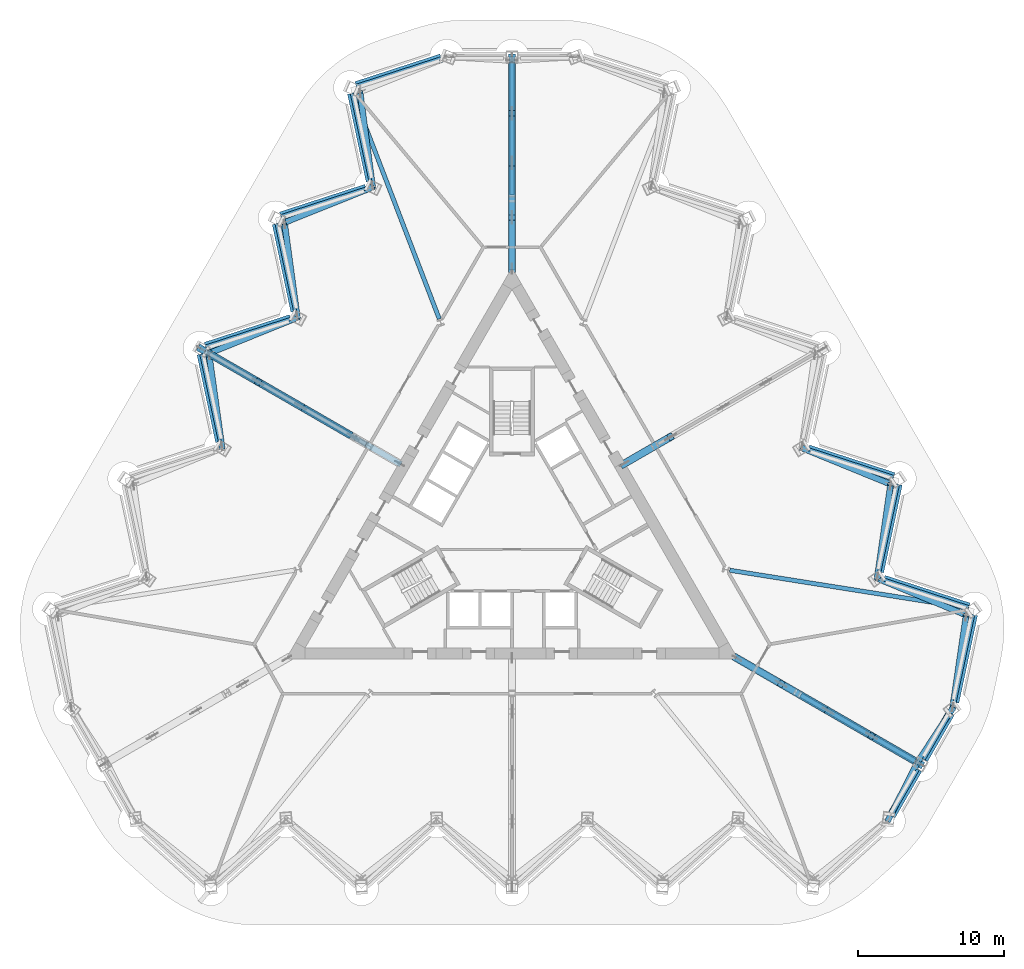
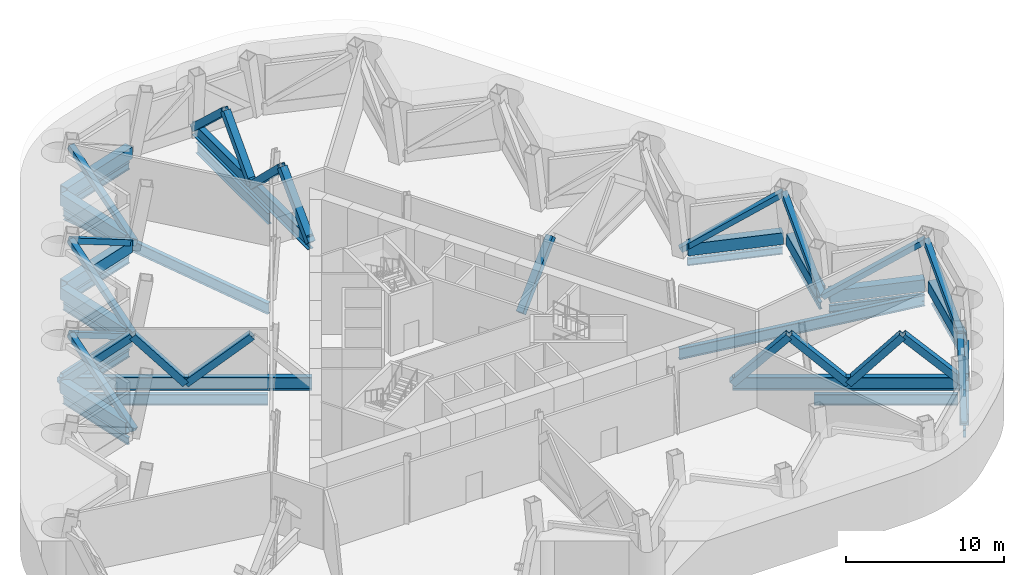
# One storey, part 3 of 13: 38 members, 17 beams.
"""IFC4 building model written with IfcOpenShell, lengths in metres."""

from ifc_helpers import new_model, si_unit, direction, frame, origin, origin_2d, place, context, subcontext, project, spatial, hollow_rectangle, i_section, extrude, material, material_profile, profile_set, type_object, element, save


model = new_model("IFC4")

# Units and contexts
model_context = context("Model", 3, precision=1e-05, world=origin(), true_north=direction((0.0, 1.0)))
body_context = subcontext(model_context, "Body", "Model", "MODEL_VIEW")
ifc_project = project(units=[si_unit("LENGTHUNIT", "METRE"), si_unit("AREAUNIT", "SQUARE_METRE"), si_unit("VOLUMEUNIT", "CUBIC_METRE"), si_unit("PLANEANGLEUNIT", "RADIAN"), si_unit("MASSUNIT", "GRAM", prefix="KILO")], contexts=[model_context])

# Site, building, storey
site_placement = place(None, origin())
site = spatial("IfcSite", under=ifc_project, at=site_placement, CompositionType="ELEMENT")
building_placement = place(site_placement, origin())
building = spatial("IfcBuilding", under=site, at=building_placement, Name="Cormorant Prow Tower", CompositionType="ELEMENT")
storey_placement = place(building_placement, frame((0.0, 0.0, 226.0)))
storey = spatial("IfcBuildingStorey", under=building, at=storey_placement, Name="L49", CompositionType="ELEMENT", Elevation=226.0)

# Members
ifc_material_1 = material(Name="Structural steel ASTM A572 Gr 50", Category="steel")
ifc_material_profile_1 = material_profile(ifc_material_1, hollow_rectangle(XDim=0.60009765625, YDim=0.89990234375, WallThickness=0.06005859375, at=origin_2d()), Name="Box 900x600x60")
ifc_profile_set_1 = profile_set([ifc_material_profile_1], Name="Structural steel ASTM A572 Gr 50")
member_type_1 = type_object("IfcMemberType", Name="Belt truss bottom chord 900x600x60", PredefinedType="CHORD", material=ifc_profile_set_1)
for number, where, z_axis, x_axis, name in (
    (1, (26.023681640625, -19.724853515625, 0.449951171875), (0.499994986164, 0.866028298505, 0.0), (-0.866028298505, 0.499994986164, 0.0), "Belt truss bottom chord ESE00-ESE01 L49"),
    (2, (28.2587890625, -15.853271484375, 0.449951171875), (0.499994986164, 0.866028298505, 0.0), (-0.866028298505, 0.499994986164, 0.0), "Belt truss bottom chord ESE01-ENE00 L49"),
):
    element("IfcMember", number, at=place(storey_placement, frame(where, z_axis=z_axis, x_axis=x_axis)), inside=storey, type_object=member_type_1, Name=name, PredefinedType="CHORD", context=body_context, shape_type="SweptSolid", body=[
        extrude(hollow_rectangle(XDim=0.60009765625, YDim=0.89990234375, WallThickness=0.06005859375, at=origin_2d()), origin(), (0.0, 0.0, 1.0), 3.67041015625),
    ])
member_1_placement = place(storey_placement, frame((30.377197265625, -11.93701171875, 0.449951171875), z_axis=(0.207904811195, 0.978149063018, 0.0), x_axis=(-0.978149063018, 0.207904811195, 0.0)))
element("IfcMember", 3, at=member_1_placement, inside=storey, type_object=member_type_1, Name="Belt truss bottom chord ENE00-ENE01 L49", PredefinedType="CHORD", context=body_context, shape_type="SweptSolid", body=[
    extrude(hollow_rectangle(XDim=0.60009765625, YDim=0.89990234375, WallThickness=0.06005859375, at=origin_2d()), origin(), (0.0, 0.0, 1.0), 6.149658203125),
])
member_2_placement = place(storey_placement, frame((31.358642578125, -5.40673828125, 0.449951171875), z_axis=(-0.951057696564, 0.309013361859, 0.0), x_axis=(-0.309013361859, -0.951057696564, 0.0)))
element("IfcMember", 4, at=member_2_placement, inside=storey, type_object=member_type_1, Name="Belt truss bottom chord ENE01-ENE02 L49", PredefinedType="CHORD", context=body_context, shape_type="SweptSolid", body=[
    extrude(hollow_rectangle(XDim=0.60009765625, YDim=0.89990234375, WallThickness=0.06005859375, at=origin_2d()), origin(), (0.0, 0.0, 1.0), 6.14990234375),
])
member_3_placement = place(storey_placement, frame((25.21240234375, -2.991455078125, 0.449951171875), z_axis=(0.207904811195, 0.978149063018, 0.0), x_axis=(-0.978149063018, 0.207904811195, 0.0)))
element("IfcMember", 5, at=member_3_placement, inside=storey, type_object=member_type_1, Name="Belt truss bottom chord ENE02-ENE03 L49", PredefinedType="CHORD", context=body_context, shape_type="SweptSolid", body=[
    extrude(hollow_rectangle(XDim=0.60009765625, YDim=0.89990234375, WallThickness=0.06005859375, at=origin_2d()), origin(), (0.0, 0.0, 1.0), 6.149658203125),
])
for number, where, z_axis, x_axis, name in (
    (6, (26.19384765625, 3.538818359375, 0.449951171875), (-0.951057696564, 0.309013361859, 0.0), (-0.309013361859, -0.951057696564, 0.0), "Belt truss bottom chord ENE03-ENE04 L49"),
    (7, (-4.850830078125, 32.27587890625, 0.449951171875), (-0.951057696564, -0.309013361859, 0.0), (0.309013361859, -0.951057696564, 0.0), "Belt truss bottom chord WNW00-WNW01 L49"),
):
    element("IfcMember", number, at=place(storey_placement, frame(where, z_axis=z_axis, x_axis=x_axis)), inside=storey, type_object=member_type_1, Name=name, PredefinedType="CHORD", context=body_context, shape_type="SweptSolid", body=[
        extrude(hollow_rectangle(XDim=0.60009765625, YDim=0.89990234375, WallThickness=0.06005859375, at=origin_2d()), origin(), (0.0, 0.0, 1.0), 6.14990234375),
    ])
member_4_placement = place(storey_placement, frame((-10.996826171875, 29.860595703125, 0.449951171875), z_axis=(0.207904811195, -0.978149063018, 0.0), x_axis=(0.978149063018, 0.207904811195, 0.0)))
element("IfcMember", 8, at=member_4_placement, inside=storey, type_object=member_type_1, Name="Belt truss bottom chord WNW01-WNW02 L49", PredefinedType="CHORD", context=body_context, shape_type="SweptSolid", body=[
    extrude(hollow_rectangle(XDim=0.60009765625, YDim=0.89990234375, WallThickness=0.06005859375, at=origin_2d()), origin(), (0.0, 0.0, 1.0), 6.149658203125),
])
member_5_placement = place(storey_placement, frame((-10.015625, 23.330322265625, 0.449951171875), z_axis=(-0.951057696564, -0.309013361859, 0.0), x_axis=(0.309013361859, -0.951057696564, 0.0)))
element("IfcMember", 9, at=member_5_placement, inside=storey, type_object=member_type_1, Name="Belt truss bottom chord WNW02-WNW03 L49", PredefinedType="CHORD", context=body_context, shape_type="SweptSolid", body=[
    extrude(hollow_rectangle(XDim=0.60009765625, YDim=0.89990234375, WallThickness=0.06005859375, at=origin_2d()), origin(), (0.0, 0.0, 1.0), 6.14990234375),
])
member_6_placement = place(storey_placement, frame((-16.16162109375, 20.9150390625, 0.449951171875), z_axis=(0.207904811195, -0.978149063018, 0.0), x_axis=(0.978149063018, 0.207904811195, 0.0)))
element("IfcMember", 10, at=member_6_placement, inside=storey, type_object=member_type_1, Name="Belt truss bottom chord WNW03-WNW04 L49", PredefinedType="CHORD", context=body_context, shape_type="SweptSolid", body=[
    extrude(hollow_rectangle(XDim=0.60009765625, YDim=0.89990234375, WallThickness=0.06005859375, at=origin_2d()), origin(), (0.0, 0.0, 1.0), 6.149658203125),
])
member_7_placement = place(storey_placement, frame((-15.18017578125, 14.384765625, 0.449951171875), z_axis=(-0.951057696564, -0.309013361859, 0.0), x_axis=(0.309013361859, -0.951057696564, 0.0)))
element("IfcMember", 11, at=member_7_placement, inside=storey, type_object=member_type_1, Name="Belt truss bottom chord WNW04-WNW05 L49", PredefinedType="CHORD", context=body_context, shape_type="SweptSolid", body=[
    extrude(hollow_rectangle(XDim=0.60009765625, YDim=0.89990234375, WallThickness=0.06005859375, at=origin_2d()), origin(), (0.0, 0.0, 1.0), 6.14990234375),
])
member_8_placement = place(storey_placement, frame((-21.326416015625, 11.969482421875, 0.449951171875), z_axis=(0.207904811195, -0.978149063018, 0.0), x_axis=(0.978149063018, 0.207904811195, 0.0)))
element("IfcMember", 12, at=member_8_placement, inside=storey, type_object=member_type_1, Name="Belt truss bottom chord WNW05-WNW06 L49", PredefinedType="CHORD", context=body_context, shape_type="SweptSolid", body=[
    extrude(hollow_rectangle(XDim=0.60009765625, YDim=0.89990234375, WallThickness=0.06005859375, at=origin_2d()), origin(), (0.0, 0.0, 1.0), 6.149658203125),
])
ifc_material_2 = material(Name="Structural steel ASTM A500 Gr C", Category="steel")
ifc_material_profile_2 = material_profile(ifc_material_2, hollow_rectangle(XDim=0.406494140625, YDim=0.406494140625, WallThickness=0.014892578125, at=origin_2d()), Name="HSS16x16x5/8")
ifc_profile_set_2 = profile_set([ifc_material_profile_2], Name="Structural steel ASTM A500 Gr C")
member_type_2 = type_object("IfcMemberType", Name="Belt truss diagonal HSS16x16x5/8", PredefinedType="BRACE", material=ifc_profile_set_2)
member_9_placement = place(storey_placement, frame((30.232666015625, -12.3759765625, 0.449951171875), z_axis=(-0.416777436303, -0.637277851925, 0.648207920374), x_axis=(0.836912005991, -0.547337459186, 0.0)))
element("IfcMember", 13, at=member_9_placement, inside=storey, type_object=member_type_2, Name="Belt truss diagonal ESE01-ENE00 L49", PredefinedType="BRACE", context=body_context, shape_type="SweptSolid", body=[
    extrude(hollow_rectangle(XDim=0.406494140625, YDim=0.406494140625, WallThickness=0.014892578125, at=origin_2d()), origin(), (0.0, 0.0, 1.0), 5.78515625),
])
member_10_placement = place(storey_placement, frame((25.065673828125, -3.4267578125, 0.449951171875), z_axis=(0.803765773497, -0.332060776991, 0.493655975086), x_axis=(0.381829470105, 0.924232793056, 0.0)))
element("IfcMember", 14, at=member_10_placement, inside=storey, type_object=member_type_2, Name="Belt truss diagonal ENE01-ENE02 L49", PredefinedType="BRACE", context=body_context, shape_type="SweptSolid", body=[
    extrude(hollow_rectangle(XDim=0.406494140625, YDim=0.406494140625, WallThickness=0.014892578125, at=origin_2d()), origin(), (0.0, 0.0, 1.0), 7.596435546875),
])
member_11_placement = place(storey_placement, frame((19.89892578125, 5.5224609375, 0.449951171875), z_axis=(0.804003782505, -0.329101163299, 0.495247758232), x_axis=(0.37882070608, 0.925470081983, 0.0)))
element("IfcMember", 15, at=member_11_placement, inside=storey, type_object=member_type_2, Name="Belt truss diagonal ENE03-ENE04 L49", PredefinedType="BRACE", context=body_context, shape_type="SweptSolid", body=[
    extrude(hollow_rectangle(XDim=0.406494140625, YDim=0.406494140625, WallThickness=0.014892578125, at=origin_2d()), origin(), (0.0, 0.0, 1.0), 7.572021484375),
])
member_12_placement = place(storey_placement, frame((-9.565185546875, 23.4208984375, 0.449951171875), z_axis=(-0.114288164592, 0.862110721885, 0.493663163143), x_axis=(-0.991327032231, -0.131418092999, 0.0)))
element("IfcMember", 16, at=member_12_placement, inside=storey, type_object=member_type_2, Name="Belt truss diagonal WNW01-WNW02 L49", PredefinedType="BRACE", context=body_context, shape_type="SweptSolid", body=[
    extrude(hollow_rectangle(XDim=0.406494140625, YDim=0.406494140625, WallThickness=0.014892578125, at=origin_2d()), origin(), (0.0, 0.0, 1.0), 7.59619140625),
])
member_13_placement = place(storey_placement, frame((-14.732177734375, 14.4716796875, 0.449951171875), z_axis=(-0.116975756657, 0.86084226212, 0.495244658832), x_axis=(-0.990893520588, -0.134647803015, 0.0)))
element("IfcMember", 17, at=member_13_placement, inside=storey, type_object=member_type_2, Name="Belt truss diagonal WNW03-WNW04 L49", PredefinedType="BRACE", context=body_context, shape_type="SweptSolid", body=[
    extrude(hollow_rectangle(XDim=0.406494140625, YDim=0.406494140625, WallThickness=0.014892578125, at=origin_2d()), origin(), (0.0, 0.0, 1.0), 7.572021484375),
])
member_14_placement = place(storey_placement, frame((-19.89892578125, 5.5224609375, 0.449951171875), z_axis=(-0.119679254509, 0.859555813331, 0.496830634935), x_axis=(-0.990445662694, -0.137903550537, 0.0)))
element("IfcMember", 18, at=member_14_placement, inside=storey, type_object=member_type_2, Name="Belt truss diagonal WNW05-WNW06 L49", PredefinedType="BRACE", context=body_context, shape_type="SweptSolid", body=[
    extrude(hollow_rectangle(XDim=0.406494140625, YDim=0.406494140625, WallThickness=0.014892578125, at=origin_2d()), origin(), (0.0, 0.0, 1.0), 7.5478515625),
])
ifc_material_3 = material(Name="Structural steel ASTM A500 Gr C", Category="steel")
ifc_material_profile_3 = material_profile(ifc_material_3, hollow_rectangle(XDim=0.406494140625, YDim=0.406494140625, WallThickness=0.014892578125, at=origin_2d()), Name="HSS16x16x5/8")
ifc_profile_set_3 = profile_set([ifc_material_profile_3], Name="Structural steel ASTM A500 Gr C")
member_type_3 = type_object("IfcMemberType", Name="Belt truss strut HSS16x16x5/8", PredefinedType="STRUT", material=ifc_profile_set_3)
member_15_placement = place(storey_placement, frame((25.834228515625, -19.994140625, 0.449951171875), z_axis=(0.343519302572, 0.679568959376, 0.648213327704), x_axis=(-0.892456653532, 0.451133152813, 0.0)))
element("IfcMember", 19, at=member_15_placement, inside=storey, type_object=member_type_3, Name="Belt truss strut ESE00-ESE01 L49", PredefinedType="STRUT", context=body_context, shape_type="SweptSolid", body=[
    extrude(hollow_rectangle(XDim=0.406494140625, YDim=0.406494140625, WallThickness=0.014892578125, at=origin_2d()), origin(), (0.0, 0.0, 1.0), 5.78515625),
])
member_16_placement = place(storey_placement, frame((30.232666015625, -12.3759765625, 0.449951171875), z_axis=(0.125166195537, 0.856924559511, 0.500013722614), x_axis=(-0.989500302737, 0.144530795625, 0.0)))
element("IfcMember", 20, at=member_16_placement, inside=storey, type_object=member_type_3, Name="Belt truss strut ENE00-ENE01 L49", PredefinedType="STRUT", context=body_context, shape_type="SweptSolid", body=[
    extrude(hollow_rectangle(XDim=0.406494140625, YDim=0.406494140625, WallThickness=0.014892578125, at=origin_2d()), origin(), (0.0, 0.0, 1.0), 7.499755859375),
])
for number, where, z_axis, x_axis, name in (
    (21, (25.065673828125, -3.4267578125, 0.449951171875), (0.122430667764, 0.858247742295, 0.498419045017), (-0.9899779202, 0.141222227416, 0.0), "Belt truss strut ENE02-ENE03 L49"),
    (22, (-9.565185546875, 23.4208984375, 0.449951171875), (-0.804479497048, -0.323096254925, 0.498419049478), (0.372687446362, -0.927956931826, 0.0), "Belt truss strut WNW02-WNW03 L49"),
):
    element("IfcMember", number, at=place(storey_placement, frame(where, z_axis=z_axis, x_axis=x_axis)), inside=storey, type_object=member_type_3, Name=name, PredefinedType="STRUT", context=body_context, shape_type="SweptSolid", body=[
        extrude(hollow_rectangle(XDim=0.406494140625, YDim=0.406494140625, WallThickness=0.014892578125, at=origin_2d()), origin(), (0.0, 0.0, 1.0), 7.523681640625),
    ])
member_17_placement = place(storey_placement, frame((-14.732177734375, 14.4716796875, 0.449951171875), z_axis=(-0.804234114821, -0.326118664104, 0.496844146067), x_axis=(0.375782107814, -0.926708048658, 0.0)))
element("IfcMember", 23, at=member_17_placement, inside=storey, type_object=member_type_3, Name="Belt truss strut WNW04-WNW05 L49", PredefinedType="STRUT", context=body_context, shape_type="SweptSolid", body=[
    extrude(hollow_rectangle(XDim=0.406494140625, YDim=0.406494140625, WallThickness=0.014892578125, at=origin_2d()), origin(), (0.0, 0.0, 1.0), 7.547607421875),
])
ifc_material_4 = material(Name="Structural steel ASTM A992 Gr 50", Category="steel")
ifc_material_profile_4 = material_profile(ifc_material_4, i_section(OverallWidth=0.39990234375, OverallDepth=1.000244140625, WebThickness=0.01904296875, FlangeThickness=0.0361328125, at=origin_2d()), Name="W40x249")
ifc_profile_set_4 = profile_set([ifc_material_profile_4], Name="Structural steel ASTM A992 Gr 50")
member_type_4 = type_object("IfcMemberType", Name="Outrigger chord W40x249", PredefinedType="CHORD", material=ifc_profile_set_4)
member_18_placement = place(storey_placement, frame((0.0, 17.747802734375, 0.500244140625), z_axis=(0.0, 1.0, 0.0), x_axis=(-1.0, 0.0, 0.0)))
element("IfcMember", 24, at=member_18_placement, inside=storey, type_object=member_type_4, Name="Outrigger bottom chord 1 L49", PredefinedType="CHORD", context=body_context, shape_type="SweptSolid", body=[
    extrude(i_section(OverallWidth=0.39990234375, OverallDepth=1.000244140625, WebThickness=0.01904296875, FlangeThickness=0.0361328125, at=origin_2d()), origin(), (0.0, 0.0, 1.0), 14.651611328125),
])
member_19_placement = place(storey_placement, frame((-7.6201171875, 4.3994140625, 0.500244140625), z_axis=(-0.866020892659, 0.500007813417, 0.0), x_axis=(-0.500007813417, -0.866020892659, 0.0)))
element("IfcMember", 25, at=member_19_placement, inside=storey, type_object=member_type_4, Name="Outrigger bottom chord 2 L49", PredefinedType="CHORD", context=body_context, shape_type="SweptSolid", body=[
    extrude(i_section(OverallWidth=0.39990234375, OverallDepth=1.000244140625, WebThickness=0.01904296875, FlangeThickness=0.0361328125, at=origin_2d()), origin(), (0.0, 0.0, 1.0), 15.922607421875),
])
member_20_placement = place(storey_placement, frame((15.3701171875, -8.873779296875, 0.500244140625), z_axis=(0.866022701949, -0.500004679687, 0.0), x_axis=(0.500004679687, 0.866022701949, 0.0)))
element("IfcMember", 26, at=member_20_placement, inside=storey, type_object=member_type_4, Name="Outrigger bottom chord 5 L49", PredefinedType="CHORD", context=body_context, shape_type="SweptSolid", body=[
    extrude(i_section(OverallWidth=0.39990234375, OverallDepth=1.000244140625, WebThickness=0.01904296875, FlangeThickness=0.0361328125, at=origin_2d()), origin(), (0.0, 0.0, 1.0), 14.651611328125),
])
ifc_material_5 = material(Name="Structural steel ASTM A500 Gr C", Category="steel")
ifc_material_profile_5 = material_profile(ifc_material_5, hollow_rectangle(XDim=0.508056640625, YDim=0.508056640625, WallThickness=0.014892578125, at=origin_2d()), Name="HSS20x20x5/8")
ifc_profile_set_5 = profile_set([ifc_material_profile_5], Name="Structural steel ASTM A500 Gr C")
member_type_5 = type_object("IfcMemberType", Name="Outrigger diagonal HSS20x20x5/8", PredefinedType="BRACE", material=ifc_profile_set_5)
member_21_placement = place(storey_placement, frame((0.0, 17.747802734375, 0.500244140625), z_axis=(0.0, 0.700415024419, 0.713735800957), x_axis=(-1.0, 0.0, 0.0)))
element("IfcMember", 27, at=member_21_placement, inside=storey, type_object=member_type_5, Name="Outrigger diagonal 1.1 L49", PredefinedType="BRACE", context=body_context, shape_type="SweptSolid", body=[
    extrude(hollow_rectangle(XDim=0.508056640625, YDim=0.508056640625, WallThickness=0.014892578125, at=origin_2d()), origin(), (0.0, 0.0, 1.0), 5.113525390625),
])
member_22_placement = place(storey_placement, frame((0.0, 25.07373046875, 0.500244140625), z_axis=(0.0, 0.683585373101, 0.72987056228), x_axis=(-1.0, 0.0, 0.0)))
element("IfcMember", 28, at=member_22_placement, inside=storey, type_object=member_type_5, Name="Outrigger diagonal 1.3 L49", PredefinedType="BRACE", context=body_context, shape_type="SweptSolid", body=[
    extrude(hollow_rectangle(XDim=0.508056640625, YDim=0.508056640625, WallThickness=0.014892578125, at=origin_2d()), origin(), (0.0, 0.0, 1.0), 5.00048828125),
])
member_23_placement = place(storey_placement, frame((-14.514892578125, 8.380126953125, 0.500244140625), z_axis=(-0.586039823569, 0.338355625508, 0.736255930963), x_axis=(-0.50000595786, -0.866021963985, 0.0)))
element("IfcMember", 29, at=member_23_placement, inside=storey, type_object=member_type_5, Name="Outrigger diagonal 2.3 L49", PredefinedType="BRACE", context=body_context, shape_type="SweptSolid", body=[
    extrude(hollow_rectangle(XDim=0.508056640625, YDim=0.508056640625, WallThickness=0.014892578125, at=origin_2d()), origin(), (0.0, 0.0, 1.0), 4.95703125),
])
member_24_placement = place(storey_placement, frame((15.3701171875, -8.873779296875, 0.500244140625), z_axis=(0.606559318342, -0.350213523303, 0.713748051786), x_axis=(0.500017494386, 0.86601530316, 0.0)))
element("IfcMember", 30, at=member_24_placement, inside=storey, type_object=member_type_5, Name="Outrigger diagonal 5.1 L49", PredefinedType="BRACE", context=body_context, shape_type="SweptSolid", body=[
    extrude(hollow_rectangle(XDim=0.508056640625, YDim=0.508056640625, WallThickness=0.014892578125, at=origin_2d()), origin(), (0.0, 0.0, 1.0), 5.11328125),
])
member_25_placement = place(storey_placement, frame((21.71435546875, -12.536865234375, 0.500244140625), z_axis=(0.592022041039, -0.341806556928, 0.729848053067), x_axis=(0.500002712257, 0.866023837856, 0.0)))
element("IfcMember", 31, at=member_25_placement, inside=storey, type_object=member_type_5, Name="Outrigger diagonal 5.3 L49", PredefinedType="BRACE", context=body_context, shape_type="SweptSolid", body=[
    extrude(hollow_rectangle(XDim=0.508056640625, YDim=0.508056640625, WallThickness=0.014892578125, at=origin_2d()), origin(), (0.0, 0.0, 1.0), 5.00048828125),
])
member_26_placement = place(storey_placement, frame((7.6201171875, 4.3994140625, 0.500244140625), z_axis=(0.62237767211, 0.359332400377, 0.695360524691), x_axis=(-0.500002592159, 0.866023907196, 0.0)))
element("IfcMember", 32, at=member_26_placement, inside=storey, type_object=member_type_5, Name="Outrigger diagonal 6.1 L49", PredefinedType="BRACE", context=body_context, shape_type="SweptSolid", body=[
    extrude(hollow_rectangle(XDim=0.508056640625, YDim=0.508056640625, WallThickness=0.014892578125, at=origin_2d()), origin(), (0.0, 0.0, 1.0), 5.24853515625),
])
ifc_material_6 = material(Name="Structural steel ASTM A500 Gr C", Category="steel")
ifc_material_profile_6 = material_profile(ifc_material_6, hollow_rectangle(XDim=0.508056640625, YDim=0.508056640625, WallThickness=0.014892578125, at=origin_2d()), Name="HSS20x20x5/8")
ifc_profile_set_6 = profile_set([ifc_material_profile_6], Name="Structural steel ASTM A500 Gr C")
member_type_6 = type_object("IfcMemberType", Name="Outrigger strut HSS20x20x5/8", PredefinedType="STRUT", material=ifc_profile_set_6)
member_27_placement = place(storey_placement, frame((0.0, 21.329345703125, 4.14990234375), z_axis=(0.0, 0.716106903735, -0.697990617718), x_axis=(-1.0, 0.0, 0.0)))
element("IfcMember", 33, at=member_27_placement, inside=storey, type_object=member_type_6, Name="Outrigger strut 1.2 L49", PredefinedType="STRUT", context=body_context, shape_type="SweptSolid", body=[
    extrude(hollow_rectangle(XDim=0.508056640625, YDim=0.508056640625, WallThickness=0.014892578125, at=origin_2d()), origin(), (0.0, 0.0, 1.0), 5.228759765625),
])
member_28_placement = place(storey_placement, frame((0.0, 28.491943359375, 4.14990234375), z_axis=(0.0, 0.730804679853, -0.68258663912), x_axis=(-1.0, 0.0, 0.0)))
element("IfcMember", 34, at=member_28_placement, inside=storey, type_object=member_type_6, Name="Outrigger strut 1.4 L49", PredefinedType="STRUT", context=body_context, shape_type="SweptSolid", body=[
    extrude(hollow_rectangle(XDim=0.508056640625, YDim=0.508056640625, WallThickness=0.014892578125, at=origin_2d()), origin(), (0.0, 0.0, 1.0), 5.346923828125),
])
member_29_placement = place(storey_placement, frame((-10.88671875, 6.285400390625, 4.14990234375), z_axis=(-0.652993730346, 0.377006002716, -0.656860458579), x_axis=(-0.499999897272, -0.866025463095, 0.0)))
element("IfcMember", 35, at=member_29_placement, inside=storey, type_object=member_type_6, Name="Outrigger strut 2.2 L49", PredefinedType="STRUT", context=body_context, shape_type="SweptSolid", body=[
    extrude(hollow_rectangle(XDim=0.508056640625, YDim=0.508056640625, WallThickness=0.014892578125, at=origin_2d()), origin(), (0.0, 0.0, 1.0), 5.55615234375),
])
member_30_placement = place(storey_placement, frame((-17.419921875, 10.057373046875, 4.14990234375), z_axis=(-0.678803973046, 0.391929226222, -0.620980392452), x_axis=(-0.500020638674, -0.866013487713, 0.0)))
element("IfcMember", 36, at=member_30_placement, inside=storey, type_object=member_type_6, Name="Outrigger strut 2.4 L49", PredefinedType="STRUT", context=body_context, shape_type="SweptSolid", body=[
    extrude(hollow_rectangle(XDim=0.508056640625, YDim=0.508056640625, WallThickness=0.014892578125, at=origin_2d()), origin(), (0.0, 0.0, 1.0), 5.877197265625),
])
member_31_placement = place(storey_placement, frame((18.4716796875, -10.66455078125, 4.14990234375), z_axis=(0.620154931074, -0.358076205873, -0.697989464284), x_axis=(0.500030989569, 0.866007511209, 0.0)))
element("IfcMember", 37, at=member_31_placement, inside=storey, type_object=member_type_6, Name="Outrigger strut 5.2 L49", PredefinedType="STRUT", context=body_context, shape_type="SweptSolid", body=[
    extrude(hollow_rectangle(XDim=0.508056640625, YDim=0.508056640625, WallThickness=0.014892578125, at=origin_2d()), origin(), (0.0, 0.0, 1.0), 5.228759765625),
])
member_32_placement = place(storey_placement, frame((24.6748046875, -14.24609375, 4.14990234375), z_axis=(0.632907907487, -0.365379776042, -0.682587137221), x_axis=(0.499969442888, 0.866043045223, 0.0)))
element("IfcMember", 38, at=member_32_placement, inside=storey, type_object=member_type_6, Name="Outrigger strut 5.4 L49", PredefinedType="STRUT", context=body_context, shape_type="SweptSolid", body=[
    extrude(hollow_rectangle(XDim=0.508056640625, YDim=0.508056640625, WallThickness=0.014892578125, at=origin_2d()), origin(), (0.0, 0.0, 1.0), 5.346923828125),
])

# Beams
ifc_material_7 = material(Name="Structural steel ASTM A992 Gr 50", Category="steel")
ifc_material_profile_7 = material_profile(ifc_material_7, i_section(OverallWidth=0.29296875, OverallDepth=0.845703125, WebThickness=0.015380859375, FlangeThickness=0.0244140625, at=origin_2d()), Name="W33x141")
ifc_profile_set_7 = profile_set([ifc_material_profile_7], Name="Structural steel ASTM A992 Gr 50")
beam_type_1 = type_object("IfcBeamType", Name="Radial floor beam W33x141", PredefinedType="BEAM", material=ifc_profile_set_7)
beam_1_placement = place(storey_placement, frame((0.0, 22.901611328125, -0.77294921875), z_axis=(0.0, 1.0, 0.0), x_axis=(-1.0, 0.0, 0.0)))
element("IfcBeam", 39, at=beam_1_placement, inside=storey, type_object=beam_type_1, Name="Radial floor beam FB2 1 L49", PredefinedType="BEAM", context=body_context, shape_type="SweptSolid", body=[
    extrude(i_section(OverallWidth=0.29296875, OverallDepth=0.845703125, WebThickness=0.015380859375, FlangeThickness=0.0244140625, at=origin_2d()), origin(), (0.0, 0.0, 1.0), 9.097900390625),
])
beam_2_placement = place(storey_placement, frame((-4.9873046875, 14.376220703125, -0.77294921875), z_axis=(-0.358301123829, 0.933606075742, 0.0), x_axis=(-0.933606075742, -0.358301123829, 0.0)))
element("IfcBeam", 40, at=beam_2_placement, inside=storey, type_object=beam_type_1, Name="Radial floor beam FB2 2 L49", PredefinedType="BEAM", context=body_context, shape_type="SweptSolid", body=[
    extrude(i_section(OverallWidth=0.29296875, OverallDepth=0.845703125, WebThickness=0.015380859375, FlangeThickness=0.0244140625, at=origin_2d()), origin(), (0.0, 0.0, 1.0), 16.604736328125),
])
beam_3_placement = place(storey_placement, frame((-10.0048828125, 5.7763671875, -0.77294921875), z_axis=(-0.866026069776, 0.499998846467, 0.0), x_axis=(-0.499998846467, -0.866026069776, 0.0)))
element("IfcBeam", 41, at=beam_3_placement, inside=storey, type_object=beam_type_1, Name="Radial floor beam FB2 3 L49", PredefinedType="BEAM", context=body_context, shape_type="SweptSolid", body=[
    extrude(i_section(OverallWidth=0.29296875, OverallDepth=0.845703125, WebThickness=0.015380859375, FlangeThickness=0.0244140625, at=origin_2d()), origin(), (0.0, 0.0, 1.0), 12.76904296875),
])
beam_4_placement = place(storey_placement, frame((19.833251953125, -11.45068359375, -0.77294921875), z_axis=(0.866023373109, -0.500003517217, 0.0), x_axis=(0.500003517217, 0.866023373109, 0.0)))
element("IfcBeam", 42, at=beam_4_placement, inside=storey, type_object=beam_type_1, Name="Radial floor beam FB2 9 L49", PredefinedType="BEAM", context=body_context, shape_type="SweptSolid", body=[
    extrude(i_section(OverallWidth=0.29296875, OverallDepth=0.845703125, WebThickness=0.015380859375, FlangeThickness=0.0244140625, at=origin_2d()), origin(), (0.0, 0.0, 1.0), 9.09814453125),
])
beam_5_placement = place(storey_placement, frame((14.94384765625, -2.869140625, -0.77294921875), z_axis=(0.987678058302, -0.156499371084, 0.0), x_axis=(0.156499371084, 0.987678058302, 0.0)))
element("IfcBeam", 43, at=beam_5_placement, inside=storey, type_object=beam_type_1, Name="Radial floor beam FB2 10 L49", PredefinedType="BEAM", context=body_context, shape_type="SweptSolid", body=[
    extrude(i_section(OverallWidth=0.29296875, OverallDepth=0.845703125, WebThickness=0.015380859375, FlangeThickness=0.0244140625, at=origin_2d()), origin(), (0.0, 0.0, 1.0), 16.604736328125),
])
ifc_material_8 = material(Name="Structural steel ASTM A992 Gr 50", Category="steel")
ifc_material_profile_8 = material_profile(ifc_material_8, i_section(OverallWidth=0.2138671875, OverallDepth=0.549072265625, WebThickness=0.0146484375, FlangeThickness=0.023681640625, at=origin_2d()), Name="W21x93")
ifc_profile_set_8 = profile_set([ifc_material_profile_8], Name="Structural steel ASTM A992 Gr 50")
beam_type_2 = type_object("IfcBeamType", Name="Spandrel beam W21x93", PredefinedType="SPANDREL", material=ifc_profile_set_8)
for number, where, z_axis, x_axis, name in (
    (44, (26.023681640625, -19.724853515625, -0.62451171875), (0.499994986164, 0.866028298505, 0.0), (-0.866028298505, 0.499994986164, 0.0), "Spandrel beam SB2 ESE00-ESE01 L49"),
    (45, (28.2587890625, -15.853271484375, -0.62451171875), (0.499994986164, 0.866028298505, 0.0), (-0.866028298505, 0.499994986164, 0.0), "Spandrel beam SB2 ESE01-ENE00 L49"),
):
    element("IfcBeam", number, at=place(storey_placement, frame(where, z_axis=z_axis, x_axis=x_axis)), inside=storey, type_object=beam_type_2, Name=name, PredefinedType="SPANDREL", context=body_context, shape_type="SweptSolid", body=[
        extrude(i_section(OverallWidth=0.2138671875, OverallDepth=0.549072265625, WebThickness=0.0146484375, FlangeThickness=0.023681640625, at=origin_2d()), origin(), (0.0, 0.0, 1.0), 3.67041015625),
    ])
beam_6_placement = place(storey_placement, frame((30.377197265625, -11.93701171875, -0.62451171875), z_axis=(0.207904811195, 0.978149063018, 0.0), x_axis=(-0.978149063018, 0.207904811195, 0.0)))
element("IfcBeam", 46, at=beam_6_placement, inside=storey, type_object=beam_type_2, Name="Spandrel beam SB2 ENE00-ENE01 L49", PredefinedType="SPANDREL", context=body_context, shape_type="SweptSolid", body=[
    extrude(i_section(OverallWidth=0.2138671875, OverallDepth=0.549072265625, WebThickness=0.0146484375, FlangeThickness=0.023681640625, at=origin_2d()), origin(), (0.0, 0.0, 1.0), 6.149658203125),
])
beam_7_placement = place(storey_placement, frame((31.358642578125, -5.40673828125, -0.62451171875), z_axis=(-0.951057696564, 0.309013361859, 0.0), x_axis=(-0.309013361859, -0.951057696564, 0.0)))
element("IfcBeam", 47, at=beam_7_placement, inside=storey, type_object=beam_type_2, Name="Spandrel beam SB2 ENE01-ENE02 L49", PredefinedType="SPANDREL", context=body_context, shape_type="SweptSolid", body=[
    extrude(i_section(OverallWidth=0.2138671875, OverallDepth=0.549072265625, WebThickness=0.0146484375, FlangeThickness=0.023681640625, at=origin_2d()), origin(), (0.0, 0.0, 1.0), 6.14990234375),
])
beam_8_placement = place(storey_placement, frame((25.21240234375, -2.991455078125, -0.62451171875), z_axis=(0.207904811195, 0.978149063018, 0.0), x_axis=(-0.978149063018, 0.207904811195, 0.0)))
element("IfcBeam", 48, at=beam_8_placement, inside=storey, type_object=beam_type_2, Name="Spandrel beam SB2 ENE02-ENE03 L49", PredefinedType="SPANDREL", context=body_context, shape_type="SweptSolid", body=[
    extrude(i_section(OverallWidth=0.2138671875, OverallDepth=0.549072265625, WebThickness=0.0146484375, FlangeThickness=0.023681640625, at=origin_2d()), origin(), (0.0, 0.0, 1.0), 6.149658203125),
])
for number, where, z_axis, x_axis, name in (
    (49, (26.19384765625, 3.538818359375, -0.62451171875), (-0.951057696564, 0.309013361859, 0.0), (-0.309013361859, -0.951057696564, 0.0), "Spandrel beam SB2 ENE03-ENE04 L49"),
    (50, (-4.850830078125, 32.27587890625, -0.62451171875), (-0.951057696564, -0.309013361859, 0.0), (0.309013361859, -0.951057696564, 0.0), "Spandrel beam SB2 WNW00-WNW01 L49"),
):
    element("IfcBeam", number, at=place(storey_placement, frame(where, z_axis=z_axis, x_axis=x_axis)), inside=storey, type_object=beam_type_2, Name=name, PredefinedType="SPANDREL", context=body_context, shape_type="SweptSolid", body=[
        extrude(i_section(OverallWidth=0.2138671875, OverallDepth=0.549072265625, WebThickness=0.0146484375, FlangeThickness=0.023681640625, at=origin_2d()), origin(), (0.0, 0.0, 1.0), 6.14990234375),
    ])
beam_9_placement = place(storey_placement, frame((-10.996826171875, 29.860595703125, -0.62451171875), z_axis=(0.207904811195, -0.978149063018, 0.0), x_axis=(0.978149063018, 0.207904811195, 0.0)))
element("IfcBeam", 51, at=beam_9_placement, inside=storey, type_object=beam_type_2, Name="Spandrel beam SB2 WNW01-WNW02 L49", PredefinedType="SPANDREL", context=body_context, shape_type="SweptSolid", body=[
    extrude(i_section(OverallWidth=0.2138671875, OverallDepth=0.549072265625, WebThickness=0.0146484375, FlangeThickness=0.023681640625, at=origin_2d()), origin(), (0.0, 0.0, 1.0), 6.149658203125),
])
beam_10_placement = place(storey_placement, frame((-10.015625, 23.330322265625, -0.62451171875), z_axis=(-0.951057696564, -0.309013361859, 0.0), x_axis=(0.309013361859, -0.951057696564, 0.0)))
element("IfcBeam", 52, at=beam_10_placement, inside=storey, type_object=beam_type_2, Name="Spandrel beam SB2 WNW02-WNW03 L49", PredefinedType="SPANDREL", context=body_context, shape_type="SweptSolid", body=[
    extrude(i_section(OverallWidth=0.2138671875, OverallDepth=0.549072265625, WebThickness=0.0146484375, FlangeThickness=0.023681640625, at=origin_2d()), origin(), (0.0, 0.0, 1.0), 6.14990234375),
])
beam_11_placement = place(storey_placement, frame((-16.16162109375, 20.9150390625, -0.62451171875), z_axis=(0.207904811195, -0.978149063018, 0.0), x_axis=(0.978149063018, 0.207904811195, 0.0)))
element("IfcBeam", 53, at=beam_11_placement, inside=storey, type_object=beam_type_2, Name="Spandrel beam SB2 WNW03-WNW04 L49", PredefinedType="SPANDREL", context=body_context, shape_type="SweptSolid", body=[
    extrude(i_section(OverallWidth=0.2138671875, OverallDepth=0.549072265625, WebThickness=0.0146484375, FlangeThickness=0.023681640625, at=origin_2d()), origin(), (0.0, 0.0, 1.0), 6.149658203125),
])
beam_12_placement = place(storey_placement, frame((-15.18017578125, 14.384765625, -0.62451171875), z_axis=(-0.951057696564, -0.309013361859, 0.0), x_axis=(0.309013361859, -0.951057696564, 0.0)))
element("IfcBeam", 54, at=beam_12_placement, inside=storey, type_object=beam_type_2, Name="Spandrel beam SB2 WNW04-WNW05 L49", PredefinedType="SPANDREL", context=body_context, shape_type="SweptSolid", body=[
    extrude(i_section(OverallWidth=0.2138671875, OverallDepth=0.549072265625, WebThickness=0.0146484375, FlangeThickness=0.023681640625, at=origin_2d()), origin(), (0.0, 0.0, 1.0), 6.14990234375),
])
beam_13_placement = place(storey_placement, frame((-21.326416015625, 11.969482421875, -0.62451171875), z_axis=(0.207904811195, -0.978149063018, 0.0), x_axis=(0.978149063018, 0.207904811195, 0.0)))
element("IfcBeam", 55, at=beam_13_placement, inside=storey, type_object=beam_type_2, Name="Spandrel beam SB2 WNW05-WNW06 L49", PredefinedType="SPANDREL", context=body_context, shape_type="SweptSolid", body=[
    extrude(i_section(OverallWidth=0.2138671875, OverallDepth=0.549072265625, WebThickness=0.0146484375, FlangeThickness=0.023681640625, at=origin_2d()), origin(), (0.0, 0.0, 1.0), 6.149658203125),
])

save(model, "model.ifc")
